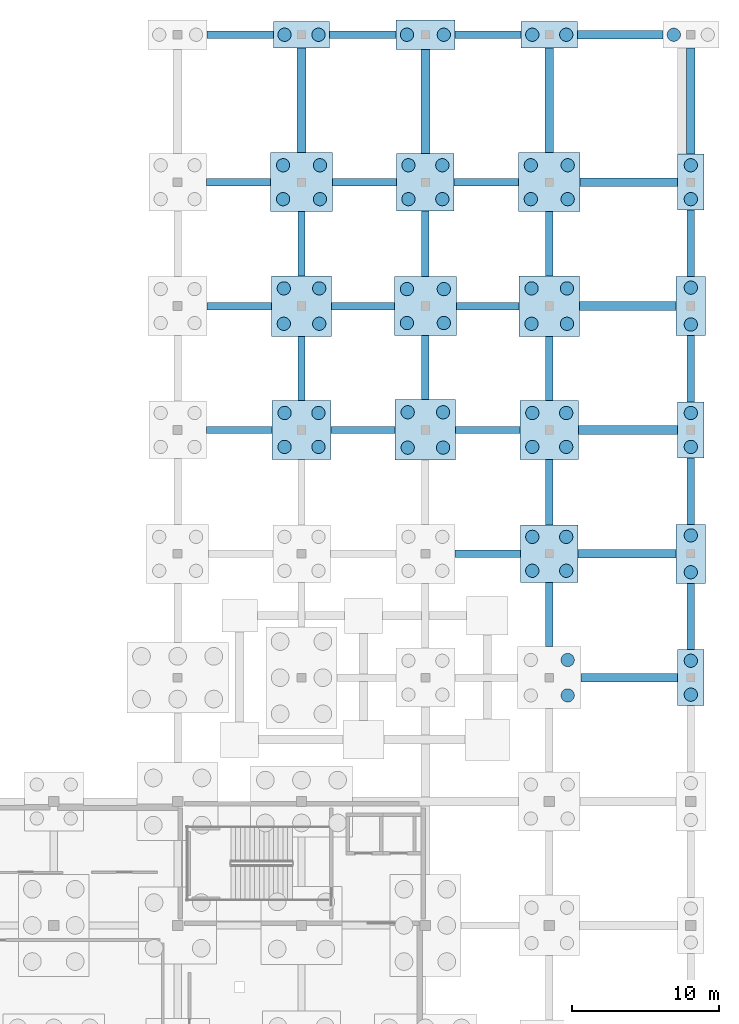
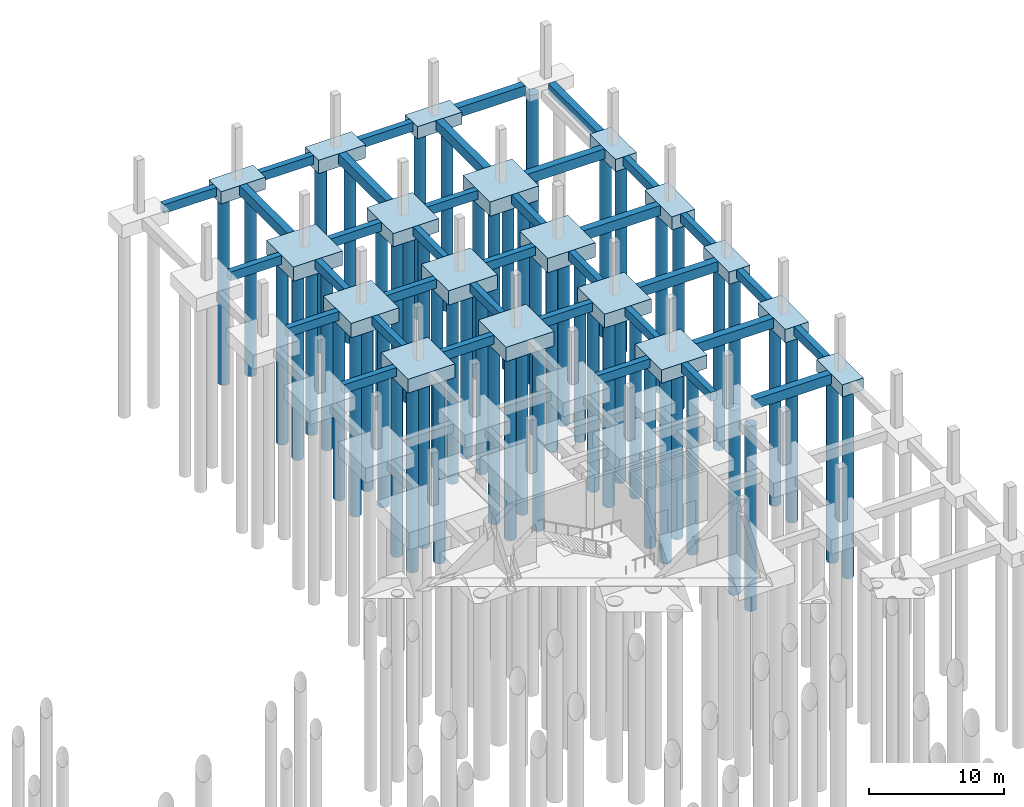
# One storey, part 11 of 24: 59 piles, 53 footings.
"""IFC4 building model written with IfcOpenShell, lengths in metres."""

from ifc_helpers import new_model, si_unit, derived_unit, direction, frame, origin, origin_2d, place, context, subcontext, project, spatial, rectangle, circle, extrude, material, layer, layer_set, material_profile, profile_set, type_object, element, save


model = new_model("IFC4")

# Units and contexts
model_context = context("Model", 3, precision=1e-05, world=origin(), true_north=direction((0.0, 1.0)))
body_context = subcontext(model_context, "Body", "Model", "MODEL_VIEW")
ifc_project = project(units=[si_unit("LENGTHUNIT", "METRE"), si_unit("AREAUNIT", "SQUARE_METRE"), si_unit("VOLUMEUNIT", "CUBIC_METRE"), si_unit("PLANEANGLEUNIT", "RADIAN"), si_unit("MASSUNIT", "GRAM", prefix="KILO"), derived_unit("THERMALTRANSMITTANCEUNIT", [(si_unit("POWERUNIT", "WATT"), 1), (si_unit("LENGTHUNIT", "METRE"), -2), (si_unit("THERMODYNAMICTEMPERATUREUNIT", "KELVIN"), -1)])], contexts=[model_context])

# Site, building, storey
site_placement = place(None, origin())
site = spatial("IfcSite", under=ifc_project, at=site_placement, CompositionType="ELEMENT")
building_placement = place(site_placement, origin())
building = spatial("IfcBuilding", under=site, at=building_placement, Name="Elbkamm Science Centre", CompositionType="ELEMENT")
storey_placement = place(building_placement, frame((0.0, 0.0, -4.800048828125)))
storey = spatial("IfcBuildingStorey", under=building, at=storey_placement, Name="B01", CompositionType="ELEMENT", Elevation=-4.800048828125)

# Footings
ifc_material = material(Name="Concrete C35/45", Category="concrete")
footing_type_1 = type_object("IfcFootingType", Name="FTG-TIE-500x800", PredefinedType="FOOTING_BEAM", material=ifc_material)
for number, where, z_axis, x_axis, name in (
    (1, (147.02490234375, 75.60009765625, -0.7998046875), (0.0, 0.0, 1.0), (1.0, 0.0, 0.0), "Substructure Ground Tie Beam X-100"),
    (2, (130.175048828125, 84.0, -0.7998046875), (0.0, 0.0, 1.0), (1.0, 0.0, 0.0), "Substructure Ground Tie Beam X-106"),
):
    element("IfcFooting", number, at=place(storey_placement, frame(where, z_axis=z_axis, x_axis=x_axis)), inside=storey, type_object=footing_type_1, Name=name, PredefinedType="FOOTING_BEAM", context=body_context, shape_type="SweptSolid", body=[
        extrude(rectangle(XDim=4.449951171875, YDim=0.5, at=origin_2d()), origin(), (0.0, 0.0, 1.0), 0.800048828125),
    ])
for number, where, z_axis, x_axis, name in (
    (3, (138.574951171875, 84.0, -0.7998046875), (0.0, 0.0, 1.0), (1.0, 0.0, 0.0), "Substructure Ground Tie Beam X-107"),
    (4, (147.02490234375, 84.0, -0.7998046875), (0.0, 0.0, 1.0), (1.0, 0.0, 0.0), "Substructure Ground Tie Beam X-108"),
    (5, (130.175048828125, 92.39990234375, -0.7998046875), (0.0, 0.0, 1.0), (1.0, 0.0, 0.0), "Substructure Ground Tie Beam X-112"),
):
    element("IfcFooting", number, at=place(storey_placement, frame(where, z_axis=z_axis, x_axis=x_axis)), inside=storey, type_object=footing_type_1, Name=name, PredefinedType="FOOTING_BEAM", context=body_context, shape_type="SweptSolid", body=[
        extrude(rectangle(XDim=4.35009765625, YDim=0.5, at=origin_2d()), origin(), (0.0, 0.0, 1.0), 0.800048828125),
    ])
for number, where, z_axis, x_axis, name in (
    (6, (138.574951171875, 92.39990234375, -0.7998046875), (0.0, 0.0, 1.0), (1.0, 0.0, 0.0), "Substructure Ground Tie Beam X-113"),
    (7, (147.02490234375, 92.39990234375, -0.7998046875), (0.0, 0.0, 1.0), (1.0, 0.0, 0.0), "Substructure Ground Tie Beam X-114"),
):
    element("IfcFooting", number, at=place(storey_placement, frame(where, z_axis=z_axis, x_axis=x_axis)), inside=storey, type_object=footing_type_1, Name=name, PredefinedType="FOOTING_BEAM", context=body_context, shape_type="SweptSolid", body=[
        extrude(rectangle(XDim=4.25, YDim=0.5, at=origin_2d()), origin(), (0.0, 0.0, 1.0), 0.800048828125),
    ])
for number, where, z_axis, x_axis, name in (
    (8, (130.125, 100.800048828125, -0.7998046875), (0.0, 0.0, 1.0), (1.0, 0.0, 0.0), "Substructure Ground Tie Beam X-116"),
    (9, (138.675048828125, 100.800048828125, -0.7998046875), (0.0, 0.0, 1.0), (1.0, 0.0, 0.0), "Substructure Ground Tie Beam X-117"),
    (10, (146.925048828125, 100.800048828125, -0.7998046875), (0.0, 0.0, 1.0), (1.0, 0.0, 0.0), "Substructure Ground Tie Beam X-118"),
):
    element("IfcFooting", number, at=place(storey_placement, frame(where, z_axis=z_axis, x_axis=x_axis)), inside=storey, type_object=footing_type_1, Name=name, PredefinedType="FOOTING_BEAM", context=body_context, shape_type="SweptSolid", body=[
        extrude(rectangle(XDim=4.35009765625, YDim=0.5, at=origin_2d()), origin(), (0.0, 0.0, 1.0), 0.800048828125),
    ])
for number, where, z_axis, x_axis, name in (
    (11, (130.25, 110.800048828125, -0.7998046875), (0.0, 0.0, 1.0), (1.0, 0.0, 0.0), "Substructure Ground Tie Beam X-120"),
    (12, (138.550048828125, 110.800048828125, -0.7998046875), (0.0, 0.0, 1.0), (1.0, 0.0, 0.0), "Substructure Ground Tie Beam X-121"),
    (13, (147.050048828125, 110.800048828125, -0.7998046875), (0.0, 0.0, 1.0), (1.0, 0.0, 0.0), "Substructure Ground Tie Beam X-122"),
):
    element("IfcFooting", number, at=place(storey_placement, frame(where, z_axis=z_axis, x_axis=x_axis)), inside=storey, type_object=footing_type_1, Name=name, PredefinedType="FOOTING_BEAM", context=body_context, shape_type="SweptSolid", body=[
        extrude(rectangle(XDim=4.5, YDim=0.5, at=origin_2d()), origin(), (0.0, 0.0, 1.0), 0.800048828125),
    ])
for number, where, z_axis, x_axis, name in (
    (14, (134.39990234375, 88.175048828125, -0.7998046875), (0.0, 0.0, 1.0), (1.0, 0.0, 0.0), "Substructure Ground Tie Beam Y-222"),
    (15, (134.39990234375, 96.625, -0.7998046875), (0.0, 0.0, 1.0), (1.0, 0.0, 0.0), "Substructure Ground Tie Beam Y-223"),
    (16, (142.800048828125, 88.22509765625, -0.7998046875), (0.0, 0.0, 1.0), (1.0, 0.0, 0.0), "Substructure Ground Tie Beam Y-229"),
):
    element("IfcFooting", number, at=place(storey_placement, frame(where, z_axis=z_axis, x_axis=x_axis)), inside=storey, type_object=footing_type_1, Name=name, PredefinedType="FOOTING_BEAM", context=body_context, shape_type="SweptSolid", body=[
        extrude(rectangle(XDim=0.5, YDim=4.35009765625, at=origin_2d()), origin(), (0.0, 0.0, 1.0), 0.800048828125),
    ])
footing_1_placement = place(storey_placement, frame((142.800048828125, 96.625, -0.7998046875), z_axis=(0.0, 0.0, 1.0), x_axis=(1.0, 0.0, 0.0)))
element("IfcFooting", 17, at=footing_1_placement, inside=storey, type_object=footing_type_1, Name="Substructure Ground Tie Beam Y-230", PredefinedType="FOOTING_BEAM", context=body_context, shape_type="SweptSolid", body=[
    extrude(rectangle(XDim=0.5, YDim=4.449951171875, at=origin_2d()), origin(), (0.0, 0.0, 1.0), 0.800048828125),
])
footing_2_placement = place(storey_placement, frame((151.199951171875, 71.47509765625, -0.7998046875), z_axis=(0.0, 0.0, 1.0), x_axis=(1.0, 0.0, 0.0)))
element("IfcFooting", 18, at=footing_2_placement, inside=storey, type_object=footing_type_1, Name="Substructure Ground Tie Beam Y-236", PredefinedType="FOOTING_BEAM", context=body_context, shape_type="SweptSolid", body=[
    extrude(rectangle(XDim=0.5, YDim=4.35009765625, at=origin_2d()), origin(), (0.0, 0.0, 1.0), 0.800048828125),
])
footing_3_placement = place(storey_placement, frame((151.199951171875, 79.77490234375, -0.7998046875), z_axis=(0.0, 0.0, 1.0), x_axis=(1.0, 0.0, 0.0)))
element("IfcFooting", 19, at=footing_3_placement, inside=storey, type_object=footing_type_1, Name="Substructure Ground Tie Beam Y-237", PredefinedType="FOOTING_BEAM", context=body_context, shape_type="SweptSolid", body=[
    extrude(rectangle(XDim=0.5, YDim=4.449951171875, at=origin_2d()), origin(), (0.0, 0.0, 1.0), 0.800048828125),
])
for number, where, z_axis, x_axis, name in (
    (20, (151.199951171875, 88.175048828125, -0.7998046875), (0.0, 0.0, 1.0), (1.0, 0.0, 0.0), "Substructure Ground Tie Beam Y-238"),
    (21, (151.199951171875, 96.625, -0.7998046875), (0.0, 0.0, 1.0), (1.0, 0.0, 0.0), "Substructure Ground Tie Beam Y-239"),
):
    element("IfcFooting", number, at=place(storey_placement, frame(where, z_axis=z_axis, x_axis=x_axis)), inside=storey, type_object=footing_type_1, Name=name, PredefinedType="FOOTING_BEAM", context=body_context, shape_type="SweptSolid", body=[
        extrude(rectangle(XDim=0.5, YDim=4.35009765625, at=origin_2d()), origin(), (0.0, 0.0, 1.0), 0.800048828125),
    ])
for number, where, z_axis, x_axis, name in (
    (22, (160.800048828125, 71.35009765625, -0.7998046875), (0.0, 0.0, 1.0), (1.0, 0.0, 0.0), "Substructure Ground Tie Beam Y-246"),
    (23, (160.800048828125, 79.85009765625, -0.7998046875), (0.0, 0.0, 1.0), (1.0, 0.0, 0.0), "Substructure Ground Tie Beam Y-247"),
    (24, (160.800048828125, 88.14990234375, -0.7998046875), (0.0, 0.0, 1.0), (1.0, 0.0, 0.0), "Substructure Ground Tie Beam Y-248"),
    (25, (160.800048828125, 96.64990234375, -0.7998046875), (0.0, 0.0, 1.0), (1.0, 0.0, 0.0), "Substructure Ground Tie Beam Y-249"),
):
    element("IfcFooting", number, at=place(storey_placement, frame(where, z_axis=z_axis, x_axis=x_axis)), inside=storey, type_object=footing_type_1, Name=name, PredefinedType="FOOTING_BEAM", context=body_context, shape_type="SweptSolid", body=[
        extrude(rectangle(XDim=0.5, YDim=4.5, at=origin_2d()), origin(), (0.0, 0.0, 1.0), 0.800048828125),
    ])
footing_type_2 = type_object("IfcFootingType", Name="FTG-TIE-600x900", PredefinedType="FOOTING_BEAM", material=ifc_material)
footing_4_placement = place(storey_placement, frame((156.625, 67.199951171875, -0.89990234375), z_axis=(0.0, 0.0, 1.0), x_axis=(1.0, 0.0, 0.0)))
element("IfcFooting", 26, at=footing_4_placement, inside=storey, type_object=footing_type_2, Name="Substructure Ground Tie Beam X-096", PredefinedType="FOOTING_BEAM", context=body_context, shape_type="SweptSolid", body=[
    extrude(rectangle(XDim=6.550048828125, YDim=0.60009765625, at=origin_2d()), origin(), (0.0, 0.0, 1.0), 0.89990234375),
])
footing_5_placement = place(storey_placement, frame((156.47509765625, 75.60009765625, -0.89990234375), z_axis=(0.0, 0.0, 1.0), x_axis=(1.0, 0.0, 0.0)))
element("IfcFooting", 27, at=footing_5_placement, inside=storey, type_object=footing_type_2, Name="Substructure Ground Tie Beam X-101", PredefinedType="FOOTING_BEAM", context=body_context, shape_type="SweptSolid", body=[
    extrude(rectangle(XDim=6.64990234375, YDim=0.60009765625, at=origin_2d()), origin(), (0.0, 0.0, 1.0), 0.89990234375),
])
footing_6_placement = place(storey_placement, frame((156.550048828125, 84.0, -0.89990234375), z_axis=(0.0, 0.0, 1.0), x_axis=(1.0, 0.0, 0.0)))
element("IfcFooting", 28, at=footing_6_placement, inside=storey, type_object=footing_type_2, Name="Substructure Ground Tie Beam X-109", PredefinedType="FOOTING_BEAM", context=body_context, shape_type="SweptSolid", body=[
    extrude(rectangle(XDim=6.699951171875, YDim=0.60009765625, at=origin_2d()), origin(), (0.0, 0.0, 1.0), 0.89990234375),
])
footing_7_placement = place(storey_placement, frame((156.52490234375, 92.39990234375, -0.89990234375), z_axis=(0.0, 0.0, 1.0), x_axis=(1.0, 0.0, 0.0)))
element("IfcFooting", 29, at=footing_7_placement, inside=storey, type_object=footing_type_2, Name="Substructure Ground Tie Beam X-115", PredefinedType="FOOTING_BEAM", context=body_context, shape_type="SweptSolid", body=[
    extrude(rectangle(XDim=6.550048828125, YDim=0.60009765625, at=origin_2d()), origin(), (0.0, 0.0, 1.0), 0.89990234375),
])
footing_8_placement = place(storey_placement, frame((156.60009765625, 100.800048828125, -0.89990234375), z_axis=(0.0, 0.0, 1.0), x_axis=(1.0, 0.0, 0.0)))
element("IfcFooting", 30, at=footing_8_placement, inside=storey, type_object=footing_type_2, Name="Substructure Ground Tie Beam X-119", PredefinedType="FOOTING_BEAM", context=body_context, shape_type="SweptSolid", body=[
    extrude(rectangle(XDim=6.60009765625, YDim=0.60009765625, at=origin_2d()), origin(), (0.0, 0.0, 1.0), 0.89990234375),
])
footing_9_placement = place(storey_placement, frame((156.0, 110.800048828125, -0.89990234375), z_axis=(0.0, 0.0, 1.0), x_axis=(1.0, 0.0, 0.0)))
element("IfcFooting", 31, at=footing_9_placement, inside=storey, type_object=footing_type_2, Name="Substructure Ground Tie Beam X-123", PredefinedType="FOOTING_BEAM", context=body_context, shape_type="SweptSolid", body=[
    extrude(rectangle(XDim=5.800048828125, YDim=0.60009765625, at=origin_2d()), origin(), (0.0, 0.0, 1.0), 0.89990234375),
])
footing_10_placement = place(storey_placement, frame((134.39990234375, 106.35009765625, -0.89990234375), z_axis=(0.0, 0.0, 1.0), x_axis=(1.0, 0.0, 0.0)))
element("IfcFooting", 32, at=footing_10_placement, inside=storey, type_object=footing_type_2, Name="Substructure Ground Tie Beam Y-224", PredefinedType="FOOTING_BEAM", context=body_context, shape_type="SweptSolid", body=[
    extrude(rectangle(XDim=0.60009765625, YDim=7.10009765625, at=origin_2d()), origin(), (0.0, 0.0, 1.0), 0.89990234375),
])
footing_11_placement = place(storey_placement, frame((142.800048828125, 106.27490234375, -0.89990234375), z_axis=(0.0, 0.0, 1.0), x_axis=(1.0, 0.0, 0.0)))
element("IfcFooting", 33, at=footing_11_placement, inside=storey, type_object=footing_type_2, Name="Substructure Ground Tie Beam Y-231", PredefinedType="FOOTING_BEAM", context=body_context, shape_type="SweptSolid", body=[
    extrude(rectangle(XDim=0.60009765625, YDim=7.050048828125, at=origin_2d()), origin(), (0.0, 0.0, 1.0), 0.89990234375),
])
footing_12_placement = place(storey_placement, frame((151.199951171875, 106.35009765625, -0.89990234375), z_axis=(0.0, 0.0, 1.0), x_axis=(1.0, 0.0, 0.0)))
element("IfcFooting", 34, at=footing_12_placement, inside=storey, type_object=footing_type_2, Name="Substructure Ground Tie Beam Y-240", PredefinedType="FOOTING_BEAM", context=body_context, shape_type="SweptSolid", body=[
    extrude(rectangle(XDim=0.60009765625, YDim=7.10009765625, at=origin_2d()), origin(), (0.0, 0.0, 1.0), 0.89990234375),
])
footing_13_placement = place(storey_placement, frame((160.800048828125, 106.300048828125, -0.89990234375), z_axis=(0.0, 0.0, 1.0), x_axis=(1.0, 0.0, 0.0)))
element("IfcFooting", 35, at=footing_13_placement, inside=storey, type_object=footing_type_2, Name="Substructure Ground Tie Beam Y-250", PredefinedType="FOOTING_BEAM", context=body_context, shape_type="SweptSolid", body=[
    extrude(rectangle(XDim=0.60009765625, YDim=7.199951171875, at=origin_2d()), origin(), (0.0, 0.0, 1.0), 0.89990234375),
])
ifc_layer_1 = layer(ifc_material, 1.10009765625)
ifc_layer_set_1 = layer_set([ifc_layer_1], Name="Concrete C35/45")
footing_type_3 = type_object("IfcFootingType", Name="PC-2P-180x380x110", PredefinedType="PILE_CAP", material=ifc_layer_set_1)
for number, where, z_axis, x_axis, name in (
    (36, (160.800048828125, 67.199951171875, -1.10009765625), (0.0, 0.0, 1.0), (1.0, 0.0, 0.0), "Pile Cap GRID-20-J"),
    (37, (160.800048828125, 84.0, -1.10009765625), (0.0, 0.0, 1.0), (1.0, 0.0, 0.0), "Pile Cap GRID-20-L"),
    (38, (160.800048828125, 100.800048828125, -1.10009765625), (0.0, 0.0, 1.0), (1.0, 0.0, 0.0), "Pile Cap GRID-20-N"),
):
    element("IfcFooting", number, at=place(storey_placement, frame(where, z_axis=z_axis, x_axis=x_axis)), inside=storey, type_object=footing_type_3, Name=name, PredefinedType="PILE_CAP", context=body_context, shape_type="SweptSolid", body=[
        extrude(rectangle(XDim=1.800048828125, YDim=3.800048828125, at=origin_2d()), origin(), (0.0, 0.0, 1.0), 1.10009765625),
    ])
ifc_layer_2 = layer(ifc_material, 1.199951171875)
ifc_layer_set_2 = layer_set([ifc_layer_2], Name="Concrete C35/45")
footing_type_4 = type_object("IfcFootingType", Name="PC-2P-200x400x120", PredefinedType="PILE_CAP", material=ifc_layer_set_2)
for number, where, z_axis, x_axis, name in (
    (39, (160.800048828125, 75.60009765625, -1.19970703125), (0.0, 0.0, 1.0), (1.0, 0.0, 0.0), "Pile Cap GRID-20-K"),
    (40, (160.800048828125, 92.39990234375, -1.19970703125), (0.0, 0.0, 1.0), (1.0, 0.0, 0.0), "Pile Cap GRID-20-M"),
):
    element("IfcFooting", number, at=place(storey_placement, frame(where, z_axis=z_axis, x_axis=x_axis)), inside=storey, type_object=footing_type_4, Name=name, PredefinedType="PILE_CAP", context=body_context, shape_type="SweptSolid", body=[
        extrude(rectangle(XDim=2.0, YDim=4.0, at=origin_2d()), origin(), (0.0, 0.0, 1.0), 1.199951171875),
    ])
ifc_layer_3 = layer(ifc_material, 1.10009765625)
ifc_layer_set_3 = layer_set([ifc_layer_3], Name="Concrete C35/45")
footing_type_5 = type_object("IfcFootingType", Name="PC-2P-380x180x110", PredefinedType="PILE_CAP", material=ifc_layer_set_3)
for number, where, z_axis, x_axis, name in (
    (41, (134.39990234375, 110.800048828125, -1.10009765625), (0.0, 0.0, 1.0), (1.0, 0.0, 0.0), "Pile Cap GRID-17-P"),
    (42, (151.199951171875, 110.800048828125, -1.10009765625), (0.0, 0.0, 1.0), (1.0, 0.0, 0.0), "Pile Cap GRID-19-P"),
):
    element("IfcFooting", number, at=place(storey_placement, frame(where, z_axis=z_axis, x_axis=x_axis)), inside=storey, type_object=footing_type_5, Name=name, PredefinedType="PILE_CAP", context=body_context, shape_type="SweptSolid", body=[
        extrude(rectangle(XDim=3.800048828125, YDim=1.800048828125, at=origin_2d()), origin(), (0.0, 0.0, 1.0), 1.10009765625),
    ])
ifc_layer_4 = layer(ifc_material, 1.199951171875)
ifc_layer_set_4 = layer_set([ifc_layer_4], Name="Concrete C35/45")
footing_type_6 = type_object("IfcFootingType", Name="PC-2P-400x200x120", PredefinedType="PILE_CAP", material=ifc_layer_set_4)
footing_14_placement = place(storey_placement, frame((142.800048828125, 110.800048828125, -1.19970703125), z_axis=(0.0, 0.0, 1.0), x_axis=(1.0, 0.0, 0.0)))
element("IfcFooting", 43, at=footing_14_placement, inside=storey, type_object=footing_type_6, Name="Pile Cap GRID-18-P", PredefinedType="PILE_CAP", context=body_context, shape_type="SweptSolid", body=[
    extrude(rectangle(XDim=4.0, YDim=2.0, at=origin_2d()), origin(), (0.0, 0.0, 1.0), 1.199951171875),
])
ifc_layer_5 = layer(ifc_material, 1.199951171875)
ifc_layer_set_5 = layer_set([ifc_layer_5], Name="Concrete C35/45")
footing_type_7 = type_object("IfcFootingType", Name="PC-4P-390x390x120", PredefinedType="PILE_CAP", material=ifc_layer_set_5)
for number, where, z_axis, x_axis, name in (
    (44, (142.800048828125, 100.800048828125, -1.19970703125), (0.0, 0.0, 1.0), (1.0, 0.0, 0.0), "Pile Cap GRID-18-N"),
    (45, (151.199951171875, 75.60009765625, -1.19970703125), (0.0, 0.0, 1.0), (1.0, 0.0, 0.0), "Pile Cap GRID-19-K"),
):
    element("IfcFooting", number, at=place(storey_placement, frame(where, z_axis=z_axis, x_axis=x_axis)), inside=storey, type_object=footing_type_7, Name=name, PredefinedType="PILE_CAP", context=body_context, shape_type="SweptSolid", body=[
        extrude(rectangle(XDim=3.89990234375, YDim=3.89990234375, at=origin_2d()), origin(), (0.0, 0.0, 1.0), 1.199951171875),
    ])
ifc_layer_6 = layer(ifc_material, 1.25)
ifc_layer_set_6 = layer_set([ifc_layer_6], Name="Concrete C35/45")
footing_type_8 = type_object("IfcFootingType", Name="PC-4P-400x400x125", PredefinedType="PILE_CAP", material=ifc_layer_set_6)
for number, where, z_axis, x_axis, name in (
    (46, (134.39990234375, 84.0, -1.25), (0.0, 0.0, 1.0), (1.0, 0.0, 0.0), "Pile Cap GRID-17-L"),
    (47, (151.199951171875, 84.0, -1.25), (0.0, 0.0, 1.0), (1.0, 0.0, 0.0), "Pile Cap GRID-19-L"),
):
    element("IfcFooting", number, at=place(storey_placement, frame(where, z_axis=z_axis, x_axis=x_axis)), inside=storey, type_object=footing_type_8, Name=name, PredefinedType="PILE_CAP", context=body_context, shape_type="SweptSolid", body=[
        extrude(rectangle(XDim=4.0, YDim=4.0, at=origin_2d()), origin(), (0.0, 0.0, 1.0), 1.25),
    ])
ifc_layer_7 = layer(ifc_material, 1.300048828125)
ifc_layer_set_7 = layer_set([ifc_layer_7], Name="Concrete C35/45")
footing_type_9 = type_object("IfcFootingType", Name="PC-4P-410x410x130", PredefinedType="PILE_CAP", material=ifc_layer_set_7)
for number, where, z_axis, x_axis, name in (
    (48, (134.39990234375, 92.39990234375, -1.2998046875), (0.0, 0.0, 1.0), (1.0, 0.0, 0.0), "Pile Cap GRID-17-M"),
    (49, (142.800048828125, 84.0, -1.2998046875), (0.0, 0.0, 1.0), (1.0, 0.0, 0.0), "Pile Cap GRID-18-L"),
    (50, (151.199951171875, 92.39990234375, -1.2998046875), (0.0, 0.0, 1.0), (1.0, 0.0, 0.0), "Pile Cap GRID-19-M"),
):
    element("IfcFooting", number, at=place(storey_placement, frame(where, z_axis=z_axis, x_axis=x_axis)), inside=storey, type_object=footing_type_9, Name=name, PredefinedType="PILE_CAP", context=body_context, shape_type="SweptSolid", body=[
        extrude(rectangle(XDim=4.10009765625, YDim=4.10009765625, at=origin_2d()), origin(), (0.0, 0.0, 1.0), 1.300048828125),
    ])
ifc_layer_8 = layer(ifc_material, 1.300048828125)
ifc_layer_set_8 = layer_set([ifc_layer_8], Name="Concrete C35/45")
footing_type_10 = type_object("IfcFootingType", Name="PC-4P-420x400x130", PredefinedType="PILE_CAP", material=ifc_layer_set_8)
for number, where, z_axis, x_axis, name in (
    (51, (134.39990234375, 100.800048828125, -1.2998046875), (0.0, 0.0, 1.0), (1.0, 0.0, 0.0), "Pile Cap GRID-17-N"),
    (52, (142.800048828125, 92.39990234375, -1.2998046875), (0.0, 0.0, 1.0), (1.0, 0.0, 0.0), "Pile Cap GRID-18-M"),
    (53, (151.199951171875, 100.800048828125, -1.2998046875), (0.0, 0.0, 1.0), (1.0, 0.0, 0.0), "Pile Cap GRID-19-N"),
):
    element("IfcFooting", number, at=place(storey_placement, frame(where, z_axis=z_axis, x_axis=x_axis)), inside=storey, type_object=footing_type_10, Name=name, PredefinedType="PILE_CAP", context=body_context, shape_type="SweptSolid", body=[
        extrude(rectangle(XDim=4.199951171875, YDim=4.0, at=origin_2d()), origin(), (0.0, 0.0, 1.0), 1.300048828125),
    ])

# Piles
ifc_material_profile = material_profile(ifc_material, circle(Radius=0.449951171875, at=origin_2d()), Name="PILE D900")
ifc_profile_set = profile_set([ifc_material_profile], Name="Concrete C35/45")
pile_type = type_object("IfcPileType", Name="PILE-BORED-900", PredefinedType="BORED", material=ifc_profile_set)
for number, where, z_axis, x_axis, name in (
    (54, (133.25, 82.85009765625, -1.14990234375), (0.0, 0.0, -1.0), (1.0, 0.0, 0.0), "Bored Pile GRID-17-L-1"),
    (55, (135.550048828125, 82.85009765625, -1.14990234375), (0.0, 0.0, -1.0), (1.0, 0.0, 0.0), "Bored Pile GRID-17-L-2"),
    (56, (133.25, 85.14990234375, -1.14990234375), (0.0, 0.0, -1.0), (1.0, 0.0, 0.0), "Bored Pile GRID-17-L-3"),
    (57, (135.550048828125, 85.14990234375, -1.14990234375), (0.0, 0.0, -1.0), (1.0, 0.0, 0.0), "Bored Pile GRID-17-L-4"),
):
    element("IfcPile", number, at=place(storey_placement, frame(where, z_axis=z_axis, x_axis=x_axis)), inside=storey, type_object=pile_type, Name=name, PredefinedType="BORED", context=body_context, shape_type="SweptSolid", body=[
        extrude(circle(Radius=0.449951171875, at=origin_2d()), origin(), (0.0, 0.0, 1.0), 16.85009765625),
    ])
for number, where, z_axis, x_axis, name in (
    (58, (133.199951171875, 91.199951171875, -1.199951171875), (0.0, 0.0, -1.0), (1.0, 0.0, 0.0), "Bored Pile GRID-17-M-1"),
    (59, (135.60009765625, 91.199951171875, -1.199951171875), (0.0, 0.0, -1.0), (1.0, 0.0, 0.0), "Bored Pile GRID-17-M-2"),
    (60, (133.199951171875, 93.60009765625, -1.199951171875), (0.0, 0.0, -1.0), (1.0, 0.0, 0.0), "Bored Pile GRID-17-M-3"),
    (61, (135.60009765625, 93.60009765625, -1.199951171875), (0.0, 0.0, -1.0), (1.0, 0.0, 0.0), "Bored Pile GRID-17-M-4"),
    (62, (133.14990234375, 99.64990234375, -1.199951171875), (0.0, 0.0, -1.0), (1.0, 0.0, 0.0), "Bored Pile GRID-17-N-1"),
    (63, (135.64990234375, 99.64990234375, -1.199951171875), (0.0, 0.0, -1.0), (1.0, 0.0, 0.0), "Bored Pile GRID-17-N-2"),
    (64, (133.14990234375, 101.949951171875, -1.199951171875), (0.0, 0.0, -1.0), (1.0, 0.0, 0.0), "Bored Pile GRID-17-N-3"),
    (65, (135.64990234375, 101.949951171875, -1.199951171875), (0.0, 0.0, -1.0), (1.0, 0.0, 0.0), "Bored Pile GRID-17-N-4"),
):
    element("IfcPile", number, at=place(storey_placement, frame(where, z_axis=z_axis, x_axis=x_axis)), inside=storey, type_object=pile_type, Name=name, PredefinedType="BORED", context=body_context, shape_type="SweptSolid", body=[
        extrude(circle(Radius=0.449951171875, at=origin_2d()), origin(), (0.0, 0.0, 1.0), 16.800048828125),
    ])
for number, where, z_axis, x_axis, name in (
    (66, (133.25, 110.800048828125, -1.0), (0.0, 0.0, -1.0), (1.0, 0.0, 0.0), "Bored Pile GRID-17-P-1"),
    (67, (135.550048828125, 110.800048828125, -1.0), (0.0, 0.0, -1.0), (1.0, 0.0, 0.0), "Bored Pile GRID-17-P-2"),
):
    element("IfcPile", number, at=place(storey_placement, frame(where, z_axis=z_axis, x_axis=x_axis)), inside=storey, type_object=pile_type, Name=name, PredefinedType="BORED", context=body_context, shape_type="SweptSolid", body=[
        extrude(circle(Radius=0.449951171875, at=origin_2d()), origin(), (0.0, 0.0, 1.0), 17.0),
    ])
for number, where, z_axis, x_axis, name in (
    (68, (141.60009765625, 82.800048828125, -1.199951171875), (0.0, 0.0, -1.0), (1.0, 0.0, 0.0), "Bored Pile GRID-18-L-1"),
    (69, (144.0, 82.800048828125, -1.199951171875), (0.0, 0.0, -1.0), (1.0, 0.0, 0.0), "Bored Pile GRID-18-L-2"),
    (70, (141.60009765625, 85.199951171875, -1.199951171875), (0.0, 0.0, -1.0), (1.0, 0.0, 0.0), "Bored Pile GRID-18-L-3"),
    (71, (144.0, 85.199951171875, -1.199951171875), (0.0, 0.0, -1.0), (1.0, 0.0, 0.0), "Bored Pile GRID-18-L-4"),
    (72, (141.550048828125, 91.25, -1.199951171875), (0.0, 0.0, -1.0), (1.0, 0.0, 0.0), "Bored Pile GRID-18-M-1"),
    (73, (144.050048828125, 91.25, -1.199951171875), (0.0, 0.0, -1.0), (1.0, 0.0, 0.0), "Bored Pile GRID-18-M-2"),
    (74, (141.550048828125, 93.550048828125, -1.199951171875), (0.0, 0.0, -1.0), (1.0, 0.0, 0.0), "Bored Pile GRID-18-M-3"),
    (75, (144.050048828125, 93.550048828125, -1.199951171875), (0.0, 0.0, -1.0), (1.0, 0.0, 0.0), "Bored Pile GRID-18-M-4"),
):
    element("IfcPile", number, at=place(storey_placement, frame(where, z_axis=z_axis, x_axis=x_axis)), inside=storey, type_object=pile_type, Name=name, PredefinedType="BORED", context=body_context, shape_type="SweptSolid", body=[
        extrude(circle(Radius=0.449951171875, at=origin_2d()), origin(), (0.0, 0.0, 1.0), 16.800048828125),
    ])
for number, where, z_axis, x_axis, name in (
    (76, (141.64990234375, 99.64990234375, -1.099853515625), (0.0, 0.0, -1.0), (1.0, 0.0, 0.0), "Bored Pile GRID-18-N-1"),
    (77, (143.949951171875, 99.64990234375, -1.099853515625), (0.0, 0.0, -1.0), (1.0, 0.0, 0.0), "Bored Pile GRID-18-N-2"),
    (78, (141.64990234375, 101.949951171875, -1.099853515625), (0.0, 0.0, -1.0), (1.0, 0.0, 0.0), "Bored Pile GRID-18-N-3"),
    (79, (143.949951171875, 101.949951171875, -1.099853515625), (0.0, 0.0, -1.0), (1.0, 0.0, 0.0), "Bored Pile GRID-18-N-4"),
    (80, (141.550048828125, 110.800048828125, -1.099853515625), (0.0, 0.0, -1.0), (1.0, 0.0, 0.0), "Bored Pile GRID-18-P-1"),
    (81, (144.050048828125, 110.800048828125, -1.099853515625), (0.0, 0.0, -1.0), (1.0, 0.0, 0.0), "Bored Pile GRID-18-P-2"),
):
    element("IfcPile", number, at=place(storey_placement, frame(where, z_axis=z_axis, x_axis=x_axis)), inside=storey, type_object=pile_type, Name=name, PredefinedType="BORED", context=body_context, shape_type="SweptSolid", body=[
        extrude(circle(Radius=0.449951171875, at=origin_2d()), origin(), (0.0, 0.0, 1.0), 16.89990234375),
    ])
for number, where, z_axis, x_axis, name in (
    (82, (152.449951171875, 66.0, -1.25), (0.0, 0.0, -1.0), (1.0, 0.0, 0.0), "Bored Pile GRID-19-J-2"),
    (83, (152.449951171875, 68.39990234375, -1.25), (0.0, 0.0, -1.0), (1.0, 0.0, 0.0), "Bored Pile GRID-19-J-4"),
):
    element("IfcPile", number, at=place(storey_placement, frame(where, z_axis=z_axis, x_axis=x_axis)), inside=storey, type_object=pile_type, Name=name, PredefinedType="BORED", context=body_context, shape_type="SweptSolid", body=[
        extrude(circle(Radius=0.449951171875, at=origin_2d()), origin(), (0.0, 0.0, 1.0), 16.75),
    ])
for number, where, z_axis, x_axis, name in (
    (84, (150.050048828125, 74.449951171875, -1.099853515625), (0.0, 0.0, -1.0), (1.0, 0.0, 0.0), "Bored Pile GRID-19-K-1"),
    (85, (152.35009765625, 74.449951171875, -1.099853515625), (0.0, 0.0, -1.0), (1.0, 0.0, 0.0), "Bored Pile GRID-19-K-2"),
    (86, (150.050048828125, 76.75, -1.099853515625), (0.0, 0.0, -1.0), (1.0, 0.0, 0.0), "Bored Pile GRID-19-K-3"),
    (87, (152.35009765625, 76.75, -1.099853515625), (0.0, 0.0, -1.0), (1.0, 0.0, 0.0), "Bored Pile GRID-19-K-4"),
):
    element("IfcPile", number, at=place(storey_placement, frame(where, z_axis=z_axis, x_axis=x_axis)), inside=storey, type_object=pile_type, Name=name, PredefinedType="BORED", context=body_context, shape_type="SweptSolid", body=[
        extrude(circle(Radius=0.449951171875, at=origin_2d()), origin(), (0.0, 0.0, 1.0), 16.89990234375),
    ])
for number, where, z_axis, x_axis, name in (
    (88, (150.050048828125, 82.85009765625, -1.14990234375), (0.0, 0.0, -1.0), (1.0, 0.0, 0.0), "Bored Pile GRID-19-L-1"),
    (89, (152.35009765625, 82.85009765625, -1.14990234375), (0.0, 0.0, -1.0), (1.0, 0.0, 0.0), "Bored Pile GRID-19-L-2"),
    (90, (150.050048828125, 85.14990234375, -1.14990234375), (0.0, 0.0, -1.0), (1.0, 0.0, 0.0), "Bored Pile GRID-19-L-3"),
    (91, (152.35009765625, 85.14990234375, -1.14990234375), (0.0, 0.0, -1.0), (1.0, 0.0, 0.0), "Bored Pile GRID-19-L-4"),
):
    element("IfcPile", number, at=place(storey_placement, frame(where, z_axis=z_axis, x_axis=x_axis)), inside=storey, type_object=pile_type, Name=name, PredefinedType="BORED", context=body_context, shape_type="SweptSolid", body=[
        extrude(circle(Radius=0.449951171875, at=origin_2d()), origin(), (0.0, 0.0, 1.0), 16.85009765625),
    ])
for number, where, z_axis, x_axis, name in (
    (92, (150.0, 91.199951171875, -1.199951171875), (0.0, 0.0, -1.0), (1.0, 0.0, 0.0), "Bored Pile GRID-19-M-1"),
    (93, (152.39990234375, 91.199951171875, -1.199951171875), (0.0, 0.0, -1.0), (1.0, 0.0, 0.0), "Bored Pile GRID-19-M-2"),
    (94, (150.0, 93.60009765625, -1.199951171875), (0.0, 0.0, -1.0), (1.0, 0.0, 0.0), "Bored Pile GRID-19-M-3"),
    (95, (152.39990234375, 93.60009765625, -1.199951171875), (0.0, 0.0, -1.0), (1.0, 0.0, 0.0), "Bored Pile GRID-19-M-4"),
    (96, (149.949951171875, 99.64990234375, -1.199951171875), (0.0, 0.0, -1.0), (1.0, 0.0, 0.0), "Bored Pile GRID-19-N-1"),
    (97, (152.449951171875, 99.64990234375, -1.199951171875), (0.0, 0.0, -1.0), (1.0, 0.0, 0.0), "Bored Pile GRID-19-N-2"),
    (98, (149.949951171875, 101.949951171875, -1.199951171875), (0.0, 0.0, -1.0), (1.0, 0.0, 0.0), "Bored Pile GRID-19-N-3"),
    (99, (152.449951171875, 101.949951171875, -1.199951171875), (0.0, 0.0, -1.0), (1.0, 0.0, 0.0), "Bored Pile GRID-19-N-4"),
):
    element("IfcPile", number, at=place(storey_placement, frame(where, z_axis=z_axis, x_axis=x_axis)), inside=storey, type_object=pile_type, Name=name, PredefinedType="BORED", context=body_context, shape_type="SweptSolid", body=[
        extrude(circle(Radius=0.449951171875, at=origin_2d()), origin(), (0.0, 0.0, 1.0), 16.800048828125),
    ])
for number, where, z_axis, x_axis, name in (
    (100, (150.050048828125, 110.800048828125, -1.0), (0.0, 0.0, -1.0), (1.0, 0.0, 0.0), "Bored Pile GRID-19-P-1"),
    (101, (152.35009765625, 110.800048828125, -1.0), (0.0, 0.0, -1.0), (1.0, 0.0, 0.0), "Bored Pile GRID-19-P-2"),
    (102, (160.800048828125, 66.050048828125, -1.0), (0.0, 0.0, -1.0), (1.0, 0.0, 0.0), "Bored Pile GRID-20-J-1"),
    (103, (160.800048828125, 68.35009765625, -1.0), (0.0, 0.0, -1.0), (1.0, 0.0, 0.0), "Bored Pile GRID-20-J-2"),
):
    element("IfcPile", number, at=place(storey_placement, frame(where, z_axis=z_axis, x_axis=x_axis)), inside=storey, type_object=pile_type, Name=name, PredefinedType="BORED", context=body_context, shape_type="SweptSolid", body=[
        extrude(circle(Radius=0.449951171875, at=origin_2d()), origin(), (0.0, 0.0, 1.0), 17.0),
    ])
for number, where, z_axis, x_axis, name in (
    (104, (160.800048828125, 74.35009765625, -1.099853515625), (0.0, 0.0, -1.0), (1.0, 0.0, 0.0), "Bored Pile GRID-20-K-1"),
    (105, (160.800048828125, 76.85009765625, -1.099853515625), (0.0, 0.0, -1.0), (1.0, 0.0, 0.0), "Bored Pile GRID-20-K-2"),
):
    element("IfcPile", number, at=place(storey_placement, frame(where, z_axis=z_axis, x_axis=x_axis)), inside=storey, type_object=pile_type, Name=name, PredefinedType="BORED", context=body_context, shape_type="SweptSolid", body=[
        extrude(circle(Radius=0.449951171875, at=origin_2d()), origin(), (0.0, 0.0, 1.0), 16.89990234375),
    ])
for number, where, z_axis, x_axis, name in (
    (106, (160.800048828125, 82.85009765625, -1.0), (0.0, 0.0, -1.0), (1.0, 0.0, 0.0), "Bored Pile GRID-20-L-1"),
    (107, (160.800048828125, 85.14990234375, -1.0), (0.0, 0.0, -1.0), (1.0, 0.0, 0.0), "Bored Pile GRID-20-L-2"),
):
    element("IfcPile", number, at=place(storey_placement, frame(where, z_axis=z_axis, x_axis=x_axis)), inside=storey, type_object=pile_type, Name=name, PredefinedType="BORED", context=body_context, shape_type="SweptSolid", body=[
        extrude(circle(Radius=0.449951171875, at=origin_2d()), origin(), (0.0, 0.0, 1.0), 17.0),
    ])
for number, where, z_axis, x_axis, name in (
    (108, (160.800048828125, 91.14990234375, -1.099853515625), (0.0, 0.0, -1.0), (1.0, 0.0, 0.0), "Bored Pile GRID-20-M-1"),
    (109, (160.800048828125, 93.64990234375, -1.099853515625), (0.0, 0.0, -1.0), (1.0, 0.0, 0.0), "Bored Pile GRID-20-M-2"),
):
    element("IfcPile", number, at=place(storey_placement, frame(where, z_axis=z_axis, x_axis=x_axis)), inside=storey, type_object=pile_type, Name=name, PredefinedType="BORED", context=body_context, shape_type="SweptSolid", body=[
        extrude(circle(Radius=0.449951171875, at=origin_2d()), origin(), (0.0, 0.0, 1.0), 16.89990234375),
    ])
for number, where, z_axis, x_axis, name in (
    (110, (160.800048828125, 99.64990234375, -1.0), (0.0, 0.0, -1.0), (1.0, 0.0, 0.0), "Bored Pile GRID-20-N-1"),
    (111, (160.800048828125, 101.949951171875, -1.0), (0.0, 0.0, -1.0), (1.0, 0.0, 0.0), "Bored Pile GRID-20-N-2"),
    (112, (159.64990234375, 110.800048828125, -1.0), (0.0, 0.0, -1.0), (1.0, 0.0, 0.0), "Bored Pile GRID-20-P-1"),
):
    element("IfcPile", number, at=place(storey_placement, frame(where, z_axis=z_axis, x_axis=x_axis)), inside=storey, type_object=pile_type, Name=name, PredefinedType="BORED", context=body_context, shape_type="SweptSolid", body=[
        extrude(circle(Radius=0.449951171875, at=origin_2d()), origin(), (0.0, 0.0, 1.0), 17.0),
    ])

save(model, "model.ifc")
